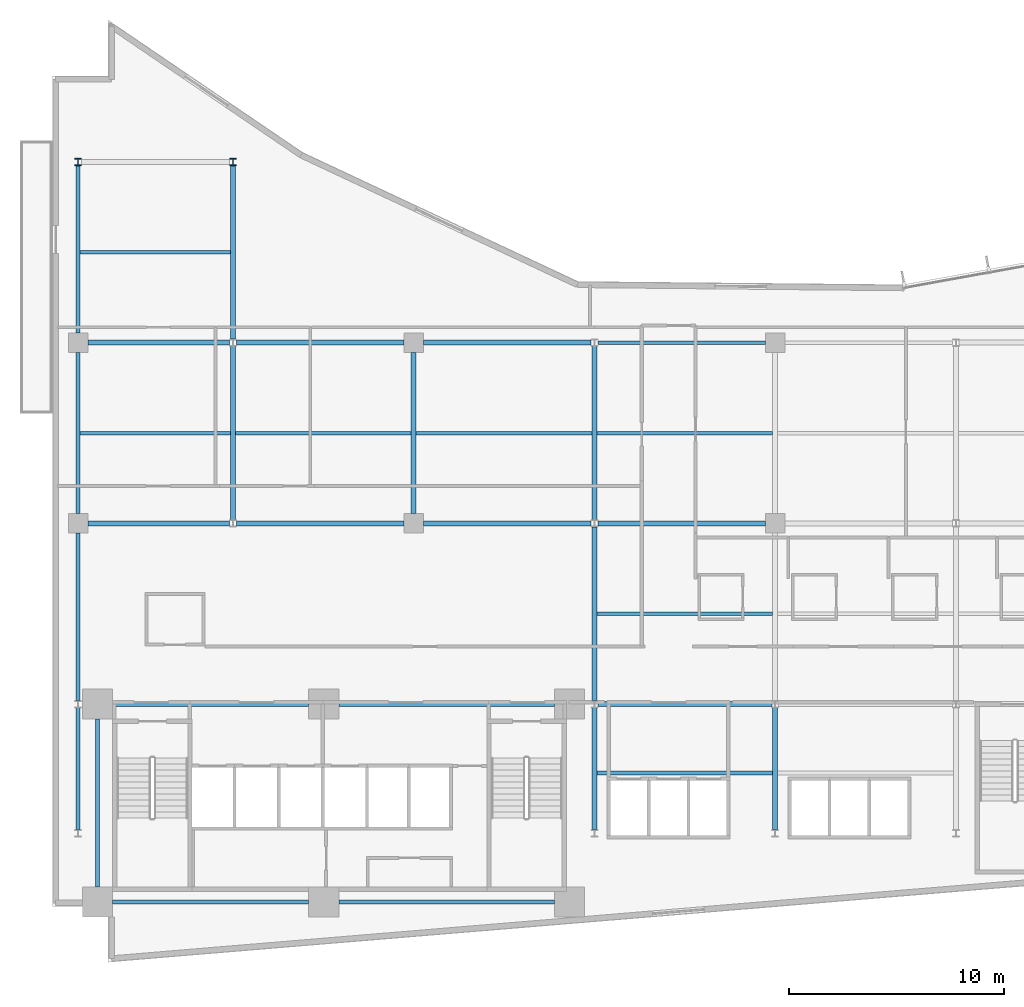
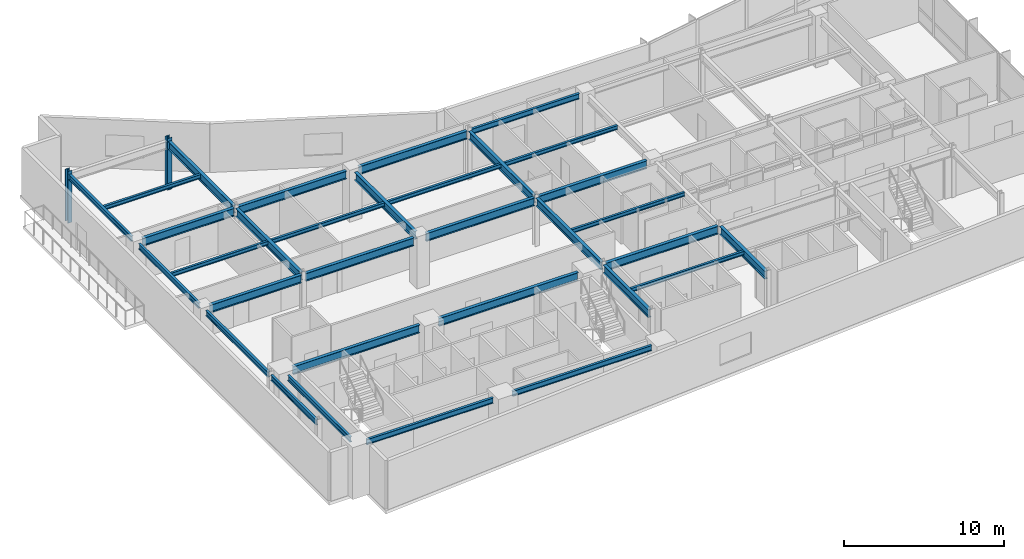
# One storey, part 3 of 20: 32 beams, 2 columns.
"""IFC4 building model written with IfcOpenShell, lengths in metres."""

from ifc_helpers import new_model, si_unit, direction, frame, origin, origin_2d, place, context, subcontext, project, spatial, i_section, extrude, material, material_profile, profile_set, type_object, element, save


model = new_model("IFC4")

# Units and contexts
model_context = context("Model", 3, precision=1e-05, world=origin(), true_north=direction((0.0, 1.0)))
body_context = subcontext(model_context, "Body", "Model", "MODEL_VIEW")
ifc_project = project(units=[si_unit("LENGTHUNIT", "METRE"), si_unit("AREAUNIT", "SQUARE_METRE"), si_unit("VOLUMEUNIT", "CUBIC_METRE"), si_unit("PLANEANGLEUNIT", "RADIAN"), si_unit("MASSUNIT", "GRAM", prefix="KILO")], contexts=[model_context])

# Site, building, storey
site_placement = place(None, origin())
site = spatial("IfcSite", under=ifc_project, at=site_placement, CompositionType="ELEMENT")
building_placement = place(site_placement, origin())
building = spatial("IfcBuilding", under=site, at=building_placement, Name="Varnakote Quay Hospital", CompositionType="ELEMENT")
storey_placement = place(building_placement, frame((0.0, 0.0, 81.75)))
storey = spatial("IfcBuildingStorey", under=building, at=storey_placement, Name="L20", CompositionType="ELEMENT", Elevation=81.75)

# Columns
ifc_material_1 = material(Name="Structural steel AS/NZS 3679.1 Grade 350 L0 (fy 340 MPa)", Category="steel")
ifc_material_profile_1 = material_profile(ifc_material_1, i_section(OverallWidth=0.31103515625, OverallDepth=0.326904296875, WebThickness=0.015625, FlangeThickness=0.02490234375, FilletRadius=0.0166015625, at=origin_2d()), Name="310UC158")
ifc_profile_set_1 = profile_set([ifc_material_profile_1], Name="Structural steel AS/NZS 3679.1 Grade 350 L0 (fy 340 MPa)")
column_type = type_object("IfcColumnType", Name="COL-STL-310UC158", PredefinedType="COLUMN", material=ifc_profile_set_1)
for number, where, z_axis, x_axis, name in (
    (1, (1.199951171875, 37.199951171875, 0.0), (0.0, 0.0, 1.0), (1.0, 0.0, 0.0), "L20 Structural Column C-1-37"),
    (2, (8.39990234375, 37.199951171875, 0.0), (0.0, 0.0, 1.0), (1.0, 0.0, 0.0), "L20 Structural Column C-8-37"),
):
    element("IfcColumn", number, at=place(storey_placement, frame(where, z_axis=z_axis, x_axis=x_axis)), inside=storey, type_object=column_type, Name=name, PredefinedType="COLUMN", context=body_context, shape_type="SweptSolid", body=[
        extrude(i_section(OverallWidth=0.31103515625, OverallDepth=0.326904296875, WebThickness=0.015625, FlangeThickness=0.02490234375, FilletRadius=0.0166015625, at=origin_2d()), origin(), (0.0, 0.0, 1.0), 3.949951171875),
    ])

# Beams
ifc_material_2 = material(Name="Structural steel AS/NZS 3679.1 Grade 350 L0 (fy 340 MPa)", Category="steel")
ifc_material_profile_2 = material_profile(ifc_material_2, i_section(OverallWidth=0.22900390625, OverallDepth=0.612060546875, WebThickness=0.011962890625, FlangeThickness=0.01953125, FilletRadius=0.013916015625, at=origin_2d()), Name="610UB125")
ifc_profile_set_2 = profile_set([ifc_material_profile_2], Name="Structural steel AS/NZS 3679.1 Grade 350 L0 (fy 340 MPa)")
beam_type_1 = type_object("IfcBeamType", Name="BM-STL-610UB125", PredefinedType="BEAM", material=ifc_profile_set_2)
beam_1_placement = place(storey_placement, frame((2.800048828125, 12.0, 3.404052734375), z_axis=(1.0, 0.0, 0.0), x_axis=(0.0, 1.0, 0.0)))
element("IfcBeam", 3, at=beam_1_placement, inside=storey, type_object=beam_type_1, Name="L20 Primary Floor Beam", PredefinedType="BEAM", context=body_context, shape_type="SweptSolid", body=[
    extrude(i_section(OverallWidth=0.22900390625, OverallDepth=0.612060546875, WebThickness=0.011962890625, FlangeThickness=0.01953125, FilletRadius=0.013916015625, at=origin_2d()), origin(), (0.0, 0.0, 1.0), 9.119873046875),
])
beam_2_placement = place(storey_placement, frame((13.320068359375, 12.0, 3.404052734375), z_axis=(1.0, 0.0, 0.0), x_axis=(0.0, 1.0, 0.0)))
element("IfcBeam", 4, at=beam_2_placement, inside=storey, type_object=beam_type_1, Name="L20 Primary Floor Beam", PredefinedType="BEAM", context=body_context, shape_type="SweptSolid", body=[
    extrude(i_section(OverallWidth=0.22900390625, OverallDepth=0.612060546875, WebThickness=0.011962890625, FlangeThickness=0.01953125, FilletRadius=0.013916015625, at=origin_2d()), origin(), (0.0, 0.0, 1.0), 10.030029296875),
])
beam_3_placement = place(storey_placement, frame((25.35546875, 12.0, 3.404052734375), z_axis=(1.0, 0.0, 0.0), x_axis=(0.0, 1.0, 0.0)))
element("IfcBeam", 5, at=beam_3_placement, inside=storey, type_object=beam_type_1, Name="L20 Primary Floor Beam", PredefinedType="BEAM", context=body_context, shape_type="SweptSolid", body=[
    extrude(i_section(OverallWidth=0.22900390625, OverallDepth=0.612060546875, WebThickness=0.011962890625, FlangeThickness=0.01953125, FilletRadius=0.013916015625, at=origin_2d()), origin(), (0.0, 0.0, 1.0), 8.089111328125),
])
beam_4_placement = place(storey_placement, frame((1.64990234375, 20.39990234375, 3.404052734375), z_axis=(1.0, 0.0, 0.0), x_axis=(0.0, 1.0, 0.0)))
element("IfcBeam", 6, at=beam_4_placement, inside=storey, type_object=beam_type_1, Name="L20 Primary Floor Beam", PredefinedType="BEAM", context=body_context, shape_type="SweptSolid", body=[
    extrude(i_section(OverallWidth=0.22900390625, OverallDepth=0.612060546875, WebThickness=0.011962890625, FlangeThickness=0.01953125, FilletRadius=0.013916015625, at=origin_2d()), origin(), (0.0, 0.0, 1.0), 6.594482421875),
])
beam_5_placement = place(storey_placement, frame((8.555419921875, 20.39990234375, 3.404052734375), z_axis=(1.0, 0.0, 0.0), x_axis=(0.0, 1.0, 0.0)))
element("IfcBeam", 7, at=beam_5_placement, inside=storey, type_object=beam_type_1, Name="L20 Primary Floor Beam", PredefinedType="BEAM", context=body_context, shape_type="SweptSolid", body=[
    extrude(i_section(OverallWidth=0.22900390625, OverallDepth=0.612060546875, WebThickness=0.011962890625, FlangeThickness=0.01953125, FilletRadius=0.013916015625, at=origin_2d()), origin(), (0.0, 0.0, 1.0), 7.794677734375),
])
for number, where, z_axis, x_axis, name in (
    (8, (17.25, 20.39990234375, 3.404052734375), (1.0, 0.0, 0.0), (0.0, 1.0, 0.0), "L20 Primary Floor Beam"),
    (9, (25.35546875, 20.39990234375, 3.404052734375), (1.0, 0.0, 0.0), (0.0, 1.0, 0.0), "L20 Primary Floor Beam"),
):
    element("IfcBeam", number, at=place(storey_placement, frame(where, z_axis=z_axis, x_axis=x_axis)), inside=storey, type_object=beam_type_1, Name=name, PredefinedType="BEAM", context=body_context, shape_type="SweptSolid", body=[
        extrude(i_section(OverallWidth=0.22900390625, OverallDepth=0.612060546875, WebThickness=0.011962890625, FlangeThickness=0.01953125, FilletRadius=0.013916015625, at=origin_2d()), origin(), (0.0, 0.0, 1.0), 7.79443359375),
    ])
beam_6_placement = place(storey_placement, frame((1.64990234375, 28.800048828125, 3.404052734375), z_axis=(1.0, 0.0, 0.0), x_axis=(0.0, 1.0, 0.0)))
element("IfcBeam", 10, at=beam_6_placement, inside=storey, type_object=beam_type_1, Name="L20 Primary Floor Beam", PredefinedType="BEAM", context=body_context, shape_type="SweptSolid", body=[
    extrude(i_section(OverallWidth=0.22900390625, OverallDepth=0.612060546875, WebThickness=0.011962890625, FlangeThickness=0.01953125, FilletRadius=0.013916015625, at=origin_2d()), origin(), (0.0, 0.0, 1.0), 6.594482421875),
])
beam_7_placement = place(storey_placement, frame((8.555419921875, 28.800048828125, 3.404052734375), z_axis=(1.0, 0.0, 0.0), x_axis=(0.0, 1.0, 0.0)))
element("IfcBeam", 11, at=beam_7_placement, inside=storey, type_object=beam_type_1, Name="L20 Primary Floor Beam", PredefinedType="BEAM", context=body_context, shape_type="SweptSolid", body=[
    extrude(i_section(OverallWidth=0.22900390625, OverallDepth=0.612060546875, WebThickness=0.011962890625, FlangeThickness=0.01953125, FilletRadius=0.013916015625, at=origin_2d()), origin(), (0.0, 0.0, 1.0), 7.794677734375),
])
beam_8_placement = place(storey_placement, frame((17.25, 28.800048828125, 3.404052734375), z_axis=(1.0, 0.0, 0.0), x_axis=(0.0, 1.0, 0.0)))
element("IfcBeam", 12, at=beam_8_placement, inside=storey, type_object=beam_type_1, Name="L20 Primary Floor Beam", PredefinedType="BEAM", context=body_context, shape_type="SweptSolid", body=[
    extrude(i_section(OverallWidth=0.22900390625, OverallDepth=0.612060546875, WebThickness=0.011962890625, FlangeThickness=0.01953125, FilletRadius=0.013916015625, at=origin_2d()), origin(), (0.0, 0.0, 1.0), 7.79443359375),
])
beam_9_placement = place(storey_placement, frame((8.39990234375, 20.5634765625, 3.404052734375), z_axis=(0.0, 1.0, 0.0), x_axis=(-1.0, 0.0, 0.0)))
element("IfcBeam", 13, at=beam_9_placement, inside=storey, type_object=beam_type_1, Name="L20 Primary Tie Beam", PredefinedType="BEAM", context=body_context, shape_type="SweptSolid", body=[
    extrude(i_section(OverallWidth=0.22900390625, OverallDepth=0.612060546875, WebThickness=0.011962890625, FlangeThickness=0.01953125, FilletRadius=0.013916015625, at=origin_2d()), origin(), (0.0, 0.0, 1.0), 8.072998046875),
])
beam_10_placement = place(storey_placement, frame((8.39990234375, 28.96337890625, 3.404052734375), z_axis=(0.0, 1.0, 0.0), x_axis=(-1.0, 0.0, 0.0)))
element("IfcBeam", 14, at=beam_10_placement, inside=storey, type_object=beam_type_1, Name="L20 Primary Tie Beam", PredefinedType="BEAM", context=body_context, shape_type="SweptSolid", body=[
    extrude(i_section(OverallWidth=0.22900390625, OverallDepth=0.612060546875, WebThickness=0.011962890625, FlangeThickness=0.01953125, FilletRadius=0.013916015625, at=origin_2d()), origin(), (0.0, 0.0, 1.0), 8.0732421875),
])
beam_11_placement = place(storey_placement, frame((16.800048828125, 20.85009765625, 3.404052734375), z_axis=(0.0, 1.0, 0.0), x_axis=(-1.0, 0.0, 0.0)))
element("IfcBeam", 15, at=beam_11_placement, inside=storey, type_object=beam_type_1, Name="L20 Primary Tie Beam", PredefinedType="BEAM", context=body_context, shape_type="SweptSolid", body=[
    extrude(i_section(OverallWidth=0.22900390625, OverallDepth=0.612060546875, WebThickness=0.011962890625, FlangeThickness=0.01953125, FilletRadius=0.013916015625, at=origin_2d()), origin(), (0.0, 0.0, 1.0), 7.5),
])
beam_12_placement = place(storey_placement, frame((25.199951171875, 6.16357421875, 3.404052734375), z_axis=(0.0, 1.0, 0.0), x_axis=(-1.0, 0.0, 0.0)))
element("IfcBeam", 16, at=beam_12_placement, inside=storey, type_object=beam_type_1, Name="L20 Primary Tie Beam", PredefinedType="BEAM", context=body_context, shape_type="SweptSolid", body=[
    extrude(i_section(OverallWidth=0.22900390625, OverallDepth=0.612060546875, WebThickness=0.011962890625, FlangeThickness=0.01953125, FilletRadius=0.013916015625, at=origin_2d()), origin(), (0.0, 0.0, 1.0), 5.6728515625),
])
for number, where, z_axis, x_axis, name in (
    (17, (25.199951171875, 12.16357421875, 3.404052734375), (0.0, 1.0, 0.0), (-1.0, 0.0, 0.0), "L20 Primary Tie Beam"),
    (18, (25.199951171875, 20.5634765625, 3.404052734375), (0.0, 1.0, 0.0), (-1.0, 0.0, 0.0), "L20 Primary Tie Beam"),
):
    element("IfcBeam", number, at=place(storey_placement, frame(where, z_axis=z_axis, x_axis=x_axis)), inside=storey, type_object=beam_type_1, Name=name, PredefinedType="BEAM", context=body_context, shape_type="SweptSolid", body=[
        extrude(i_section(OverallWidth=0.22900390625, OverallDepth=0.612060546875, WebThickness=0.011962890625, FlangeThickness=0.01953125, FilletRadius=0.013916015625, at=origin_2d()), origin(), (0.0, 0.0, 1.0), 8.072998046875),
    ])
beam_13_placement = place(storey_placement, frame((33.60009765625, 6.16357421875, 3.404052734375), z_axis=(0.0, 1.0, 0.0), x_axis=(-1.0, 0.0, 0.0)))
element("IfcBeam", 19, at=beam_13_placement, inside=storey, type_object=beam_type_1, Name="L20 Primary Tie Beam", PredefinedType="BEAM", context=body_context, shape_type="SweptSolid", body=[
    extrude(i_section(OverallWidth=0.22900390625, OverallDepth=0.612060546875, WebThickness=0.011962890625, FlangeThickness=0.01953125, FilletRadius=0.013916015625, at=origin_2d()), origin(), (0.0, 0.0, 1.0), 5.6728515625),
])
ifc_material_3 = material(Name="Structural steel AS/NZS 3679.1 Grade 350 L0 (fy 340 MPa)", Category="steel")
ifc_material_profile_3 = material_profile(ifc_material_3, i_section(OverallWidth=0.1650390625, OverallDepth=0.303955078125, WebThickness=0.006103515625, FlangeThickness=0.01025390625, FilletRadius=0.011474609375, at=origin_2d()), Name="310UB40.4")
ifc_profile_set_3 = profile_set([ifc_material_profile_3], Name="Structural steel AS/NZS 3679.1 Grade 350 L0 (fy 340 MPa)")
beam_type_2 = type_object("IfcBeamType", Name="JST-STL-310UB40-4", PredefinedType="JOIST", material=ifc_profile_set_3)
for number, where, z_axis, x_axis, name in (
    (20, (25.314453125, 8.800048828125, 3.55810546875), (1.0, 0.0, 0.0), (0.0, 1.0, 0.0), "L20 Composite Floor Joist"),
    (21, (25.314453125, 16.199951171875, 3.55810546875), (1.0, 0.0, 0.0), (0.0, 1.0, 0.0), "L20 Composite Floor Joist"),
):
    element("IfcBeam", number, at=place(storey_placement, frame(where, z_axis=z_axis, x_axis=x_axis)), inside=storey, type_object=beam_type_2, Name=name, PredefinedType="JOIST", context=body_context, shape_type="SweptSolid", body=[
        extrude(i_section(OverallWidth=0.1650390625, OverallDepth=0.303955078125, WebThickness=0.006103515625, FlangeThickness=0.01025390625, FilletRadius=0.011474609375, at=origin_2d()), origin(), (0.0, 0.0, 1.0), 8.171142578125),
    ])
beam_14_placement = place(storey_placement, frame((1.2890625, 24.60009765625, 3.55810546875), z_axis=(1.0, 0.0, 0.0), x_axis=(0.0, 1.0, 0.0)))
element("IfcBeam", 22, at=beam_14_placement, inside=storey, type_object=beam_type_2, Name="L20 Composite Floor Joist", PredefinedType="JOIST", context=body_context, shape_type="SweptSolid", body=[
    extrude(i_section(OverallWidth=0.1650390625, OverallDepth=0.303955078125, WebThickness=0.006103515625, FlangeThickness=0.01025390625, FilletRadius=0.011474609375, at=origin_2d()), origin(), (0.0, 0.0, 1.0), 6.996337890625),
])
beam_15_placement = place(storey_placement, frame((8.514404296875, 24.60009765625, 3.55810546875), z_axis=(1.0, 0.0, 0.0), x_axis=(0.0, 1.0, 0.0)))
element("IfcBeam", 23, at=beam_15_placement, inside=storey, type_object=beam_type_2, Name="L20 Composite Floor Joist", PredefinedType="JOIST", context=body_context, shape_type="SweptSolid", body=[
    extrude(i_section(OverallWidth=0.1650390625, OverallDepth=0.303955078125, WebThickness=0.006103515625, FlangeThickness=0.01025390625, FilletRadius=0.011474609375, at=origin_2d()), origin(), (0.0, 0.0, 1.0), 8.171142578125),
])
beam_16_placement = place(storey_placement, frame((16.91455078125, 24.60009765625, 3.55810546875), z_axis=(1.0, 0.0, 0.0), x_axis=(0.0, 1.0, 0.0)))
element("IfcBeam", 24, at=beam_16_placement, inside=storey, type_object=beam_type_2, Name="L20 Composite Floor Joist", PredefinedType="JOIST", context=body_context, shape_type="SweptSolid", body=[
    extrude(i_section(OverallWidth=0.1650390625, OverallDepth=0.303955078125, WebThickness=0.006103515625, FlangeThickness=0.01025390625, FilletRadius=0.011474609375, at=origin_2d()), origin(), (0.0, 0.0, 1.0), 8.1708984375),
])
beam_17_placement = place(storey_placement, frame((25.314453125, 24.60009765625, 3.55810546875), z_axis=(1.0, 0.0, 0.0), x_axis=(0.0, 1.0, 0.0)))
element("IfcBeam", 25, at=beam_17_placement, inside=storey, type_object=beam_type_2, Name="L20 Composite Floor Joist", PredefinedType="JOIST", context=body_context, shape_type="SweptSolid", body=[
    extrude(i_section(OverallWidth=0.1650390625, OverallDepth=0.303955078125, WebThickness=0.006103515625, FlangeThickness=0.01025390625, FilletRadius=0.011474609375, at=origin_2d()), origin(), (0.0, 0.0, 1.0), 8.171142578125),
])
beam_18_placement = place(storey_placement, frame((1.2890625, 33.0, 3.55810546875), z_axis=(1.0, 0.0, 0.0), x_axis=(0.0, 1.0, 0.0)))
element("IfcBeam", 26, at=beam_18_placement, inside=storey, type_object=beam_type_2, Name="L20 Composite Floor Joist", PredefinedType="JOIST", context=body_context, shape_type="SweptSolid", body=[
    extrude(i_section(OverallWidth=0.1650390625, OverallDepth=0.303955078125, WebThickness=0.006103515625, FlangeThickness=0.01025390625, FilletRadius=0.011474609375, at=origin_2d()), origin(), (0.0, 0.0, 1.0), 6.996337890625),
])
ifc_material_4 = material(Name="Structural steel AS/NZS 3679.1 Grade 350 L0 (fy 340 MPa)", Category="steel")
ifc_material_profile_4 = material_profile(ifc_material_4, i_section(OverallWidth=0.177978515625, OverallDepth=0.403076171875, WebThickness=0.007568359375, FlangeThickness=0.010986328125, FilletRadius=0.011474609375, at=origin_2d()), Name="410UB53.7")
ifc_profile_set_4 = profile_set([ifc_material_profile_4], Name="Structural steel AS/NZS 3679.1 Grade 350 L0 (fy 340 MPa)")
beam_type_3 = type_object("IfcBeamType", Name="SPN-STL-410UB53-7", PredefinedType="SPANDREL", material=ifc_profile_set_4)
beam_19_placement = place(storey_placement, frame((1.199951171875, 6.16357421875, 3.508544921875), z_axis=(0.0, 1.0, 0.0), x_axis=(-1.0, 0.0, 0.0)))
element("IfcBeam", 27, at=beam_19_placement, inside=storey, type_object=beam_type_3, Name="L20 Perimeter Spandrel Beam", PredefinedType="SPANDREL", context=body_context, shape_type="SweptSolid", body=[
    extrude(i_section(OverallWidth=0.177978515625, OverallDepth=0.403076171875, WebThickness=0.007568359375, FlangeThickness=0.010986328125, FilletRadius=0.011474609375, at=origin_2d()), origin(), (0.0, 0.0, 1.0), 5.6728515625),
])
beam_20_placement = place(storey_placement, frame((1.199951171875, 12.16357421875, 3.508544921875), z_axis=(0.0, 1.0, 0.0), x_axis=(-1.0, 0.0, 0.0)))
element("IfcBeam", 28, at=beam_20_placement, inside=storey, type_object=beam_type_3, Name="L20 Perimeter Spandrel Beam", PredefinedType="SPANDREL", context=body_context, shape_type="SweptSolid", body=[
    extrude(i_section(OverallWidth=0.177978515625, OverallDepth=0.403076171875, WebThickness=0.007568359375, FlangeThickness=0.010986328125, FilletRadius=0.011474609375, at=origin_2d()), origin(), (0.0, 0.0, 1.0), 7.786376953125),
])
beam_21_placement = place(storey_placement, frame((1.199951171875, 20.85009765625, 3.508544921875), z_axis=(0.0, 1.0, 0.0), x_axis=(-1.0, 0.0, 0.0)))
element("IfcBeam", 29, at=beam_21_placement, inside=storey, type_object=beam_type_3, Name="L20 Perimeter Spandrel Beam", PredefinedType="SPANDREL", context=body_context, shape_type="SweptSolid", body=[
    extrude(i_section(OverallWidth=0.177978515625, OverallDepth=0.403076171875, WebThickness=0.007568359375, FlangeThickness=0.010986328125, FilletRadius=0.011474609375, at=origin_2d()), origin(), (0.0, 0.0, 1.0), 7.5),
])
beam_22_placement = place(storey_placement, frame((1.199951171875, 29.25, 3.508544921875), z_axis=(0.0, 1.0, 0.0), x_axis=(-1.0, 0.0, 0.0)))
element("IfcBeam", 30, at=beam_22_placement, inside=storey, type_object=beam_type_3, Name="L20 Perimeter Spandrel Beam", PredefinedType="SPANDREL", context=body_context, shape_type="SweptSolid", body=[
    extrude(i_section(OverallWidth=0.177978515625, OverallDepth=0.403076171875, WebThickness=0.007568359375, FlangeThickness=0.010986328125, FilletRadius=0.011474609375, at=origin_2d()), origin(), (0.0, 0.0, 1.0), 7.78662109375),
])
beam_23_placement = place(storey_placement, frame((2.10009765625, 3.5, 3.508544921875), z_axis=(0.0, 1.0, 0.0), x_axis=(-1.0, 0.0, 0.0)))
element("IfcBeam", 31, at=beam_23_placement, inside=storey, type_object=beam_type_3, Name="L20 Perimeter Spandrel Beam", PredefinedType="SPANDREL", context=body_context, shape_type="SweptSolid", body=[
    extrude(i_section(OverallWidth=0.177978515625, OverallDepth=0.403076171875, WebThickness=0.007568359375, FlangeThickness=0.010986328125, FilletRadius=0.011474609375, at=origin_2d()), origin(), (0.0, 0.0, 1.0), 7.800048828125),
])
ifc_material_5 = material(Name="Structural steel AS/NZS 3679.1 Grade 350 L0 (fy 340 MPa)", Category="steel")
ifc_material_profile_5 = material_profile(ifc_material_5, i_section(OverallWidth=0.177978515625, OverallDepth=0.406005859375, WebThickness=0.0078125, FlangeThickness=0.0126953125, FilletRadius=0.011474609375, at=origin_2d()), Name="410UB59.7")
ifc_profile_set_5 = profile_set([ifc_material_profile_5], Name="Structural steel AS/NZS 3679.1 Grade 350 L0 (fy 340 MPa)")
beam_type_4 = type_object("IfcBeamType", Name="SPN-STL-410UB59-7", PredefinedType="SPANDREL", material=ifc_profile_set_5)
beam_24_placement = place(storey_placement, frame((2.800048828125, 2.800048828125, 3.507080078125), z_axis=(1.0, 0.0, 0.0), x_axis=(0.0, 1.0, 0.0)))
element("IfcBeam", 32, at=beam_24_placement, inside=storey, type_object=beam_type_4, Name="L20 Perimeter Spandrel Beam", PredefinedType="SPANDREL", context=body_context, shape_type="SweptSolid", body=[
    extrude(i_section(OverallWidth=0.177978515625, OverallDepth=0.406005859375, WebThickness=0.0078125, FlangeThickness=0.0126953125, FilletRadius=0.011474609375, at=origin_2d()), origin(), (0.0, 0.0, 1.0), 9.119873046875),
])
beam_25_placement = place(storey_placement, frame((13.320068359375, 2.800048828125, 3.507080078125), z_axis=(1.0, 0.0, 0.0), x_axis=(0.0, 1.0, 0.0)))
element("IfcBeam", 33, at=beam_25_placement, inside=storey, type_object=beam_type_4, Name="L20 Perimeter Spandrel Beam", PredefinedType="SPANDREL", context=body_context, shape_type="SweptSolid", body=[
    extrude(i_section(OverallWidth=0.177978515625, OverallDepth=0.406005859375, WebThickness=0.0078125, FlangeThickness=0.0126953125, FilletRadius=0.011474609375, at=origin_2d()), origin(), (0.0, 0.0, 1.0), 10.030029296875),
])
beam_26_placement = place(storey_placement, frame((25.35546875, 28.800048828125, 3.507080078125), z_axis=(1.0, 0.0, 0.0), x_axis=(0.0, 1.0, 0.0)))
element("IfcBeam", 34, at=beam_26_placement, inside=storey, type_object=beam_type_4, Name="L20 Perimeter Spandrel Beam", PredefinedType="SPANDREL", context=body_context, shape_type="SweptSolid", body=[
    extrude(i_section(OverallWidth=0.177978515625, OverallDepth=0.406005859375, WebThickness=0.0078125, FlangeThickness=0.0126953125, FilletRadius=0.011474609375, at=origin_2d()), origin(), (0.0, 0.0, 1.0), 7.79443359375),
])

save(model, "model.ifc")
